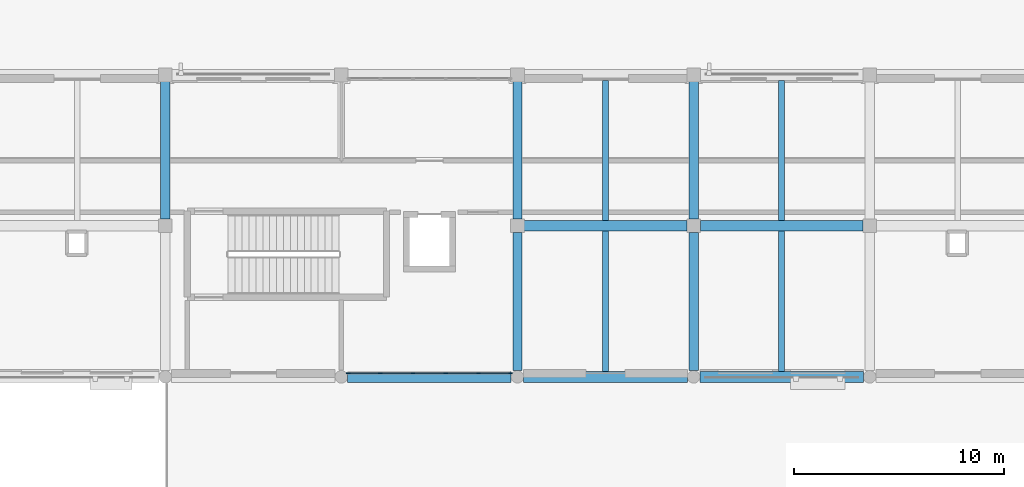
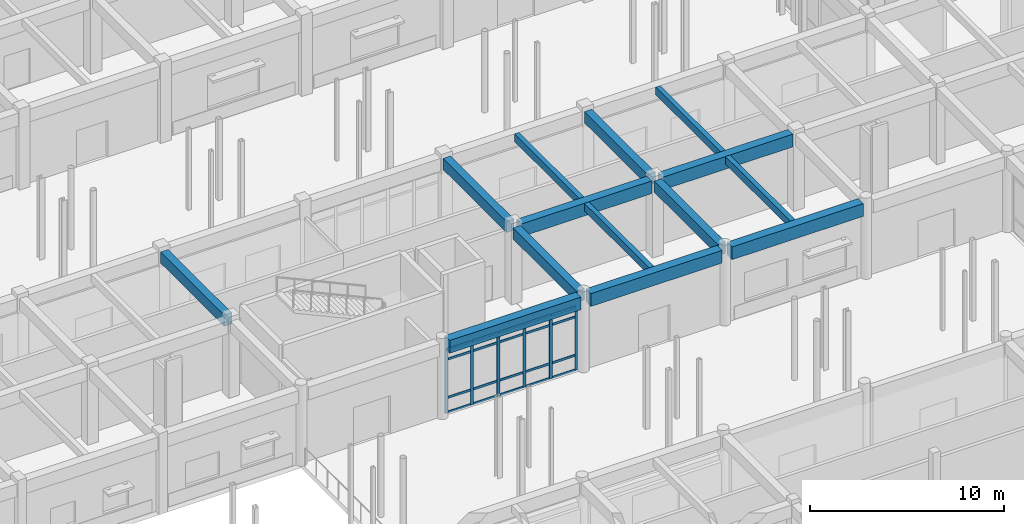
# One storey, part 36 of 121: 26 members, 14 beams, 1 element without a shape of its own.
"""IFC4 building model written with IfcOpenShell, lengths in metres."""

from ifc_helpers import new_model, si_unit, direction, frame, origin, origin_2d, place, context, subcontext, project, spatial, rectangle, extrude, material, material_profile, profile_set, type_object, element, aggregate, save


model = new_model("IFC4")

# Units and contexts
model_context = context("Model", 3, precision=1e-05, world=origin(), true_north=direction((0.0, 1.0)))
body_context = subcontext(model_context, "Body", "Model", "MODEL_VIEW")
ifc_project = project(units=[si_unit("LENGTHUNIT", "METRE"), si_unit("AREAUNIT", "SQUARE_METRE"), si_unit("VOLUMEUNIT", "CUBIC_METRE"), si_unit("PLANEANGLEUNIT", "RADIAN"), si_unit("MASSUNIT", "GRAM", prefix="KILO")], contexts=[model_context])

# Site, building, storey
site_placement = place(None, origin())
site = spatial("IfcSite", under=ifc_project, at=site_placement, CompositionType="ELEMENT")
building_placement = place(site_placement, origin())
building = spatial("IfcBuilding", under=site, at=building_placement, Name="Malvenik Polytechnic", CompositionType="ELEMENT")
storey_placement = place(building_placement, origin())
storey = spatial("IfcBuildingStorey", under=building, at=storey_placement, Name="L00", CompositionType="ELEMENT", Elevation=0.0)

# Curtain wall, members
ifc_material_1 = material(Name="Anodised aluminium 6060-T6", Category="aluminium")
curtain_wall_type = type_object("IfcCurtainWallType", Name="ARC-CW-CW-01", PredefinedType="NOTDEFINED", material=ifc_material_1)
curtain_wall_placement = place(storey_placement, origin())
curtain_wall = element("IfcCurtainWall", 1, at=curtain_wall_placement, inside=storey, type_object=curtain_wall_type, Name="Unitised Curtain Wall CW-01 L00 #4", PredefinedType="NOTDEFINED")
ifc_material_2 = material(Name="Anodised aluminium", Category="aluminium")
ifc_material_profile_1 = material_profile(ifc_material_2, rectangle(XDim=0.06005859375, YDim=0.179931640625, at=origin_2d()), Name="ALU MULLION 60x180")
ifc_profile_set_1 = profile_set([ifc_material_profile_1], Name="Anodised aluminium")
member_type_1 = type_object("IfcMemberType", Name="ARC-CWM-180", PredefinedType="MULLION", material=ifc_profile_set_1)
member_1_placement = place(storey_placement, frame((50.072021484375, 50.570068359375, 0.0), z_axis=(0.0, 0.0, 1.0), x_axis=(0.0, -1.0, 0.0)))
member_1 = element("IfcMember", 2, at=member_1_placement, type_object=member_type_1, Name="CW-01 mullion 1", PredefinedType="MULLION", context=body_context, shape_type="SweptSolid", body=[
    extrude(rectangle(XDim=0.06005859375, YDim=0.179931640625, at=origin_2d()), origin(), (0.0, 0.0, 1.0), 4.010009765625),
])
member_2_placement = place(storey_placement, frame((48.541259765625, 50.570068359375, 0.0), z_axis=(0.0, 0.0, 1.0), x_axis=(0.0, -1.0, 0.0)))
member_2 = element("IfcMember", 3, at=member_2_placement, type_object=member_type_1, Name="CW-01 mullion 2", PredefinedType="MULLION", context=body_context, shape_type="SweptSolid", body=[
    extrude(rectangle(XDim=0.06005859375, YDim=0.179931640625, at=origin_2d()), origin(), (0.0, 0.0, 1.0), 4.010009765625),
])
member_3_placement = place(storey_placement, frame((46.98046875, 50.570068359375, 0.0), z_axis=(0.0, 0.0, 1.0), x_axis=(0.0, -1.0, 0.0)))
member_3 = element("IfcMember", 4, at=member_3_placement, type_object=member_type_1, Name="CW-01 mullion 3", PredefinedType="MULLION", context=body_context, shape_type="SweptSolid", body=[
    extrude(rectangle(XDim=0.06005859375, YDim=0.179931640625, at=origin_2d()), origin(), (0.0, 0.0, 1.0), 4.010009765625),
])
member_4_placement = place(storey_placement, frame((45.419677734375, 50.570068359375, 0.0), z_axis=(0.0, 0.0, 1.0), x_axis=(0.0, -1.0, 0.0)))
member_4 = element("IfcMember", 5, at=member_4_placement, type_object=member_type_1, Name="CW-01 mullion 4", PredefinedType="MULLION", context=body_context, shape_type="SweptSolid", body=[
    extrude(rectangle(XDim=0.06005859375, YDim=0.179931640625, at=origin_2d()), origin(), (0.0, 0.0, 1.0), 4.010009765625),
])
member_5_placement = place(storey_placement, frame((43.85888671875, 50.570068359375, 0.0), z_axis=(0.0, 0.0, 1.0), x_axis=(0.0, -1.0, 0.0)))
member_5 = element("IfcMember", 6, at=member_5_placement, type_object=member_type_1, Name="CW-01 mullion 5", PredefinedType="MULLION", context=body_context, shape_type="SweptSolid", body=[
    extrude(rectangle(XDim=0.06005859375, YDim=0.179931640625, at=origin_2d()), origin(), (0.0, 0.0, 1.0), 4.010009765625),
])
member_6_placement = place(storey_placement, frame((42.327880859375, 50.570068359375, 0.0), z_axis=(0.0, 0.0, 1.0), x_axis=(0.0, -1.0, 0.0)))
member_6 = element("IfcMember", 7, at=member_6_placement, type_object=member_type_1, Name="CW-01 mullion 6", PredefinedType="MULLION", context=body_context, shape_type="SweptSolid", body=[
    extrude(rectangle(XDim=0.06005859375, YDim=0.179931640625, at=origin_2d()), origin(), (0.0, 0.0, 1.0), 4.010009765625),
])
ifc_material_profile_2 = material_profile(ifc_material_2, rectangle(XDim=0.06005859375, YDim=0.139892578125, at=origin_2d()), Name="ALU TRANSOM 60x140")
ifc_profile_set_2 = profile_set([ifc_material_profile_2], Name="Anodised aluminium")
member_type_2 = type_object("IfcMemberType", Name="ARC-CWT-140", PredefinedType="USERDEFINED", material=ifc_profile_set_2)
member_7_placement = place(storey_placement, frame((50.0419921875, 50.570068359375, 0.030029296875), z_axis=(-1.0, 0.0, 0.0), x_axis=(0.0, -1.0, 0.0)))
member_7 = element("IfcMember", 8, at=member_7_placement, type_object=member_type_2, Name="CW-01 transom 1.1", ObjectType="TRANSOM", PredefinedType="USERDEFINED", context=body_context, shape_type="SweptSolid", body=[
    extrude(rectangle(XDim=0.06005859375, YDim=0.139892578125, at=origin_2d()), origin(), (0.0, 0.0, 1.0), 1.470703125),
])
member_8_placement = place(storey_placement, frame((50.0419921875, 50.570068359375, 0.949951171875), z_axis=(-1.0, 0.0, 0.0), x_axis=(0.0, -1.0, 0.0)))
member_8 = element("IfcMember", 9, at=member_8_placement, type_object=member_type_2, Name="CW-01 transom 1.2", ObjectType="TRANSOM", PredefinedType="USERDEFINED", context=body_context, shape_type="SweptSolid", body=[
    extrude(rectangle(XDim=0.06005859375, YDim=0.139892578125, at=origin_2d()), origin(), (0.0, 0.0, 1.0), 1.470703125),
])
member_9_placement = place(storey_placement, frame((50.0419921875, 50.570068359375, 3.360107421875), z_axis=(-1.0, 0.0, 0.0), x_axis=(0.0, -1.0, 0.0)))
member_9 = element("IfcMember", 10, at=member_9_placement, type_object=member_type_2, Name="CW-01 transom 1.3", ObjectType="TRANSOM", PredefinedType="USERDEFINED", context=body_context, shape_type="SweptSolid", body=[
    extrude(rectangle(XDim=0.06005859375, YDim=0.139892578125, at=origin_2d()), origin(), (0.0, 0.0, 1.0), 1.470703125),
])
member_10_placement = place(storey_placement, frame((50.0419921875, 50.570068359375, 3.97998046875), z_axis=(-1.0, 0.0, 0.0), x_axis=(0.0, -1.0, 0.0)))
member_10 = element("IfcMember", 11, at=member_10_placement, type_object=member_type_2, Name="CW-01 transom 1.4", ObjectType="TRANSOM", PredefinedType="USERDEFINED", context=body_context, shape_type="SweptSolid", body=[
    extrude(rectangle(XDim=0.06005859375, YDim=0.139892578125, at=origin_2d()), origin(), (0.0, 0.0, 1.0), 1.470703125),
])
member_11_placement = place(storey_placement, frame((48.51123046875, 50.570068359375, 0.030029296875), z_axis=(-1.0, 0.0, 0.0), x_axis=(0.0, -1.0, 0.0)))
member_11 = element("IfcMember", 12, at=member_11_placement, type_object=member_type_2, Name="CW-01 transom 2.1", ObjectType="TRANSOM", PredefinedType="USERDEFINED", context=body_context, shape_type="SweptSolid", body=[
    extrude(rectangle(XDim=0.06005859375, YDim=0.139892578125, at=origin_2d()), origin(), (0.0, 0.0, 1.0), 1.500732421875),
])
member_12_placement = place(storey_placement, frame((48.51123046875, 50.570068359375, 0.949951171875), z_axis=(-1.0, 0.0, 0.0), x_axis=(0.0, -1.0, 0.0)))
member_12 = element("IfcMember", 13, at=member_12_placement, type_object=member_type_2, Name="CW-01 transom 2.2", ObjectType="TRANSOM", PredefinedType="USERDEFINED", context=body_context, shape_type="SweptSolid", body=[
    extrude(rectangle(XDim=0.06005859375, YDim=0.139892578125, at=origin_2d()), origin(), (0.0, 0.0, 1.0), 1.500732421875),
])
member_13_placement = place(storey_placement, frame((48.51123046875, 50.570068359375, 3.360107421875), z_axis=(-1.0, 0.0, 0.0), x_axis=(0.0, -1.0, 0.0)))
member_13 = element("IfcMember", 14, at=member_13_placement, type_object=member_type_2, Name="CW-01 transom 2.3", ObjectType="TRANSOM", PredefinedType="USERDEFINED", context=body_context, shape_type="SweptSolid", body=[
    extrude(rectangle(XDim=0.06005859375, YDim=0.139892578125, at=origin_2d()), origin(), (0.0, 0.0, 1.0), 1.500732421875),
])
member_14_placement = place(storey_placement, frame((48.51123046875, 50.570068359375, 3.97998046875), z_axis=(-1.0, 0.0, 0.0), x_axis=(0.0, -1.0, 0.0)))
member_14 = element("IfcMember", 15, at=member_14_placement, type_object=member_type_2, Name="CW-01 transom 2.4", ObjectType="TRANSOM", PredefinedType="USERDEFINED", context=body_context, shape_type="SweptSolid", body=[
    extrude(rectangle(XDim=0.06005859375, YDim=0.139892578125, at=origin_2d()), origin(), (0.0, 0.0, 1.0), 1.500732421875),
])
member_15_placement = place(storey_placement, frame((46.950439453125, 50.570068359375, 0.030029296875), z_axis=(-1.0, 0.0, 0.0), x_axis=(0.0, -1.0, 0.0)))
member_15 = element("IfcMember", 16, at=member_15_placement, type_object=member_type_2, Name="CW-01 transom 3.1", ObjectType="TRANSOM", PredefinedType="USERDEFINED", context=body_context, shape_type="SweptSolid", body=[
    extrude(rectangle(XDim=0.06005859375, YDim=0.139892578125, at=origin_2d()), origin(), (0.0, 0.0, 1.0), 1.500732421875),
])
member_16_placement = place(storey_placement, frame((46.950439453125, 50.570068359375, 0.949951171875), z_axis=(-1.0, 0.0, 0.0), x_axis=(0.0, -1.0, 0.0)))
member_16 = element("IfcMember", 17, at=member_16_placement, type_object=member_type_2, Name="CW-01 transom 3.2", ObjectType="TRANSOM", PredefinedType="USERDEFINED", context=body_context, shape_type="SweptSolid", body=[
    extrude(rectangle(XDim=0.06005859375, YDim=0.139892578125, at=origin_2d()), origin(), (0.0, 0.0, 1.0), 1.500732421875),
])
member_17_placement = place(storey_placement, frame((46.950439453125, 50.570068359375, 3.360107421875), z_axis=(-1.0, 0.0, 0.0), x_axis=(0.0, -1.0, 0.0)))
member_17 = element("IfcMember", 18, at=member_17_placement, type_object=member_type_2, Name="CW-01 transom 3.3", ObjectType="TRANSOM", PredefinedType="USERDEFINED", context=body_context, shape_type="SweptSolid", body=[
    extrude(rectangle(XDim=0.06005859375, YDim=0.139892578125, at=origin_2d()), origin(), (0.0, 0.0, 1.0), 1.500732421875),
])
member_18_placement = place(storey_placement, frame((46.950439453125, 50.570068359375, 3.97998046875), z_axis=(-1.0, 0.0, 0.0), x_axis=(0.0, -1.0, 0.0)))
member_18 = element("IfcMember", 19, at=member_18_placement, type_object=member_type_2, Name="CW-01 transom 3.4", ObjectType="TRANSOM", PredefinedType="USERDEFINED", context=body_context, shape_type="SweptSolid", body=[
    extrude(rectangle(XDim=0.06005859375, YDim=0.139892578125, at=origin_2d()), origin(), (0.0, 0.0, 1.0), 1.500732421875),
])
member_19_placement = place(storey_placement, frame((45.3896484375, 50.570068359375, 0.030029296875), z_axis=(-1.0, 0.0, 0.0), x_axis=(0.0, -1.0, 0.0)))
member_19 = element("IfcMember", 20, at=member_19_placement, type_object=member_type_2, Name="CW-01 transom 4.1", ObjectType="TRANSOM", PredefinedType="USERDEFINED", context=body_context, shape_type="SweptSolid", body=[
    extrude(rectangle(XDim=0.06005859375, YDim=0.139892578125, at=origin_2d()), origin(), (0.0, 0.0, 1.0), 1.500732421875),
])
member_20_placement = place(storey_placement, frame((45.3896484375, 50.570068359375, 0.949951171875), z_axis=(-1.0, 0.0, 0.0), x_axis=(0.0, -1.0, 0.0)))
member_20 = element("IfcMember", 21, at=member_20_placement, type_object=member_type_2, Name="CW-01 transom 4.2", ObjectType="TRANSOM", PredefinedType="USERDEFINED", context=body_context, shape_type="SweptSolid", body=[
    extrude(rectangle(XDim=0.06005859375, YDim=0.139892578125, at=origin_2d()), origin(), (0.0, 0.0, 1.0), 1.500732421875),
])
member_21_placement = place(storey_placement, frame((45.3896484375, 50.570068359375, 3.360107421875), z_axis=(-1.0, 0.0, 0.0), x_axis=(0.0, -1.0, 0.0)))
member_21 = element("IfcMember", 22, at=member_21_placement, type_object=member_type_2, Name="CW-01 transom 4.3", ObjectType="TRANSOM", PredefinedType="USERDEFINED", context=body_context, shape_type="SweptSolid", body=[
    extrude(rectangle(XDim=0.06005859375, YDim=0.139892578125, at=origin_2d()), origin(), (0.0, 0.0, 1.0), 1.500732421875),
])
member_22_placement = place(storey_placement, frame((45.3896484375, 50.570068359375, 3.97998046875), z_axis=(-1.0, 0.0, 0.0), x_axis=(0.0, -1.0, 0.0)))
member_22 = element("IfcMember", 23, at=member_22_placement, type_object=member_type_2, Name="CW-01 transom 4.4", ObjectType="TRANSOM", PredefinedType="USERDEFINED", context=body_context, shape_type="SweptSolid", body=[
    extrude(rectangle(XDim=0.06005859375, YDim=0.139892578125, at=origin_2d()), origin(), (0.0, 0.0, 1.0), 1.500732421875),
])
member_23_placement = place(storey_placement, frame((43.828857421875, 50.570068359375, 0.030029296875), z_axis=(-1.0, 0.0, 0.0), x_axis=(0.0, -1.0, 0.0)))
member_23 = element("IfcMember", 24, at=member_23_placement, type_object=member_type_2, Name="CW-01 transom 5.1", ObjectType="TRANSOM", PredefinedType="USERDEFINED", context=body_context, shape_type="SweptSolid", body=[
    extrude(rectangle(XDim=0.06005859375, YDim=0.139892578125, at=origin_2d()), origin(), (0.0, 0.0, 1.0), 1.470947265625),
])
member_24_placement = place(storey_placement, frame((43.828857421875, 50.570068359375, 0.949951171875), z_axis=(-1.0, 0.0, 0.0), x_axis=(0.0, -1.0, 0.0)))
member_24 = element("IfcMember", 25, at=member_24_placement, type_object=member_type_2, Name="CW-01 transom 5.2", ObjectType="TRANSOM", PredefinedType="USERDEFINED", context=body_context, shape_type="SweptSolid", body=[
    extrude(rectangle(XDim=0.06005859375, YDim=0.139892578125, at=origin_2d()), origin(), (0.0, 0.0, 1.0), 1.470947265625),
])
member_25_placement = place(storey_placement, frame((43.828857421875, 50.570068359375, 3.360107421875), z_axis=(-1.0, 0.0, 0.0), x_axis=(0.0, -1.0, 0.0)))
member_25 = element("IfcMember", 26, at=member_25_placement, type_object=member_type_2, Name="CW-01 transom 5.3", ObjectType="TRANSOM", PredefinedType="USERDEFINED", context=body_context, shape_type="SweptSolid", body=[
    extrude(rectangle(XDim=0.06005859375, YDim=0.139892578125, at=origin_2d()), origin(), (0.0, 0.0, 1.0), 1.470947265625),
])
member_26_placement = place(storey_placement, frame((43.828857421875, 50.570068359375, 3.97998046875), z_axis=(-1.0, 0.0, 0.0), x_axis=(0.0, -1.0, 0.0)))
member_26 = element("IfcMember", 27, at=member_26_placement, type_object=member_type_2, Name="CW-01 transom 5.4", ObjectType="TRANSOM", PredefinedType="USERDEFINED", context=body_context, shape_type="SweptSolid", body=[
    extrude(rectangle(XDim=0.06005859375, YDim=0.139892578125, at=origin_2d()), origin(), (0.0, 0.0, 1.0), 1.470947265625),
])
aggregate(curtain_wall, [member_1, member_2, member_3, member_4, member_5, member_6, member_7, member_8, member_9, member_10, member_11, member_12, member_13, member_14, member_15, member_16, member_17, member_18, member_19, member_20, member_21, member_22, member_23, member_24, member_25, member_26])

# Beams
ifc_material_3 = material(Name="Concrete C35/45", Category="concrete")
ifc_material_profile_3 = material_profile(ifc_material_3, rectangle(XDim=0.5, YDim=0.800048828125, at=origin_2d()), Name="RC BM 500x800")
ifc_profile_set_3 = profile_set([ifc_material_profile_3], Name="Concrete C35/45")
beam_type_1 = type_object("IfcBeamType", Name="STR-BM-B-02", PredefinedType="BEAM", material=ifc_profile_set_3)
beam_1_placement = place(storey_placement, frame((50.722900390625, 57.60009765625, 4.419921875), z_axis=(1.0, 0.0, 0.0), x_axis=(0.0, 1.0, 0.0)))
element("IfcBeam", 28, at=beam_1_placement, inside=storey, type_object=beam_type_1, Name="Primary Beam B-02 L00 #588", PredefinedType="BEAM", context=body_context, shape_type="SweptSolid", body=[
    extrude(rectangle(XDim=0.5, YDim=0.800048828125, at=origin_2d()), origin(), (0.0, 0.0, 1.0), 7.754150390625),
])
beam_2_placement = place(storey_placement, frame((59.123046875, 57.60009765625, 4.419921875), z_axis=(1.0, 0.0, 0.0), x_axis=(0.0, 1.0, 0.0)))
element("IfcBeam", 29, at=beam_2_placement, inside=storey, type_object=beam_type_1, Name="Primary Beam B-02 L00 #589", PredefinedType="BEAM", context=body_context, shape_type="SweptSolid", body=[
    extrude(rectangle(XDim=0.5, YDim=0.800048828125, at=origin_2d()), origin(), (0.0, 0.0, 1.0), 7.75390625),
])
ifc_material_profile_4 = material_profile(ifc_material_3, rectangle(XDim=0.449951171875, YDim=0.699951171875, at=origin_2d()), Name="RC BM 450x700")
ifc_profile_set_4 = profile_set([ifc_material_profile_4], Name="Concrete C35/45")
beam_type_2 = type_object("IfcBeamType", Name="STR-BM-B-04", PredefinedType="BEAM", material=ifc_profile_set_4)
beam_3_placement = place(storey_placement, frame((33.60009765625, 57.923095703125, 4.469970703125), z_axis=(0.0, 1.0, 0.0), x_axis=(-1.0, 0.0, 0.0)))
element("IfcBeam", 30, at=beam_3_placement, inside=storey, type_object=beam_type_2, Name="Transverse Beam B-04 L00 #735", PredefinedType="BEAM", context=body_context, shape_type="SweptSolid", body=[
    extrude(rectangle(XDim=0.449951171875, YDim=0.699951171875, at=origin_2d()), origin(), (0.0, 0.0, 1.0), 6.553955078125),
])
beam_4_placement = place(storey_placement, frame((50.39990234375, 50.697998046875, 4.469970703125), z_axis=(0.0, 1.0, 0.0), x_axis=(-1.0, 0.0, 0.0)))
element("IfcBeam", 31, at=beam_4_placement, inside=storey, type_object=beam_type_2, Name="Transverse Beam B-04 L00 #748", PredefinedType="BEAM", context=body_context, shape_type="SweptSolid", body=[
    extrude(rectangle(XDim=0.449951171875, YDim=0.699951171875, at=origin_2d()), origin(), (0.0, 0.0, 1.0), 6.5791015625),
])
beam_5_placement = place(storey_placement, frame((50.39990234375, 57.923095703125, 4.469970703125), z_axis=(0.0, 1.0, 0.0), x_axis=(-1.0, 0.0, 0.0)))
element("IfcBeam", 32, at=beam_5_placement, inside=storey, type_object=beam_type_2, Name="Transverse Beam B-04 L00 #749", PredefinedType="BEAM", context=body_context, shape_type="SweptSolid", body=[
    extrude(rectangle(XDim=0.449951171875, YDim=0.699951171875, at=origin_2d()), origin(), (0.0, 0.0, 1.0), 6.553955078125),
])
beam_6_placement = place(storey_placement, frame((58.800048828125, 50.697998046875, 4.469970703125), z_axis=(0.0, 1.0, 0.0), x_axis=(-1.0, 0.0, 0.0)))
element("IfcBeam", 33, at=beam_6_placement, inside=storey, type_object=beam_type_2, Name="Transverse Beam B-04 L00 #754", PredefinedType="BEAM", context=body_context, shape_type="SweptSolid", body=[
    extrude(rectangle(XDim=0.449951171875, YDim=0.699951171875, at=origin_2d()), origin(), (0.0, 0.0, 1.0), 6.5791015625),
])
beam_7_placement = place(storey_placement, frame((58.800048828125, 57.923095703125, 4.469970703125), z_axis=(0.0, 1.0, 0.0), x_axis=(-1.0, 0.0, 0.0)))
element("IfcBeam", 34, at=beam_7_placement, inside=storey, type_object=beam_type_2, Name="Transverse Beam B-04 L00 #755", PredefinedType="BEAM", context=body_context, shape_type="SweptSolid", body=[
    extrude(rectangle(XDim=0.449951171875, YDim=0.699951171875, at=origin_2d()), origin(), (0.0, 0.0, 1.0), 6.553955078125),
])
ifc_material_4 = material(Name="Concrete C30/37", Category="concrete")
ifc_material_profile_5 = material_profile(ifc_material_4, rectangle(XDim=0.280029296875, YDim=0.47998046875, at=origin_2d()), Name="RC JST 280x480")
ifc_profile_set_5 = profile_set([ifc_material_profile_5], Name="Concrete C30/37")
beam_type_3 = type_object("IfcBeamType", Name="STR-BM-J-01", PredefinedType="JOIST", material=ifc_profile_set_5)
for number, where, z_axis, x_axis, name in (
    (35, (54.60009765625, 50.657958984375, 4.580078125), (0.0, 1.0, 0.0), (-1.0, 0.0, 0.0), "Secondary Rib Joist J-01 L00 #887"),
    (36, (54.60009765625, 57.847900390625, 4.580078125), (0.0, 1.0, 0.0), (-1.0, 0.0, 0.0), "Secondary Rib Joist J-01 L00 #888"),
    (37, (63.0, 50.657958984375, 4.580078125), (0.0, 1.0, 0.0), (-1.0, 0.0, 0.0), "Secondary Rib Joist J-01 L00 #891"),
    (38, (63.0, 57.847900390625, 4.580078125), (0.0, 1.0, 0.0), (-1.0, 0.0, 0.0), "Secondary Rib Joist J-01 L00 #892"),
):
    element("IfcBeam", number, at=place(storey_placement, frame(where, z_axis=z_axis, x_axis=x_axis)), inside=storey, type_object=beam_type_3, Name=name, PredefinedType="JOIST", context=body_context, shape_type="SweptSolid", body=[
        extrude(rectangle(XDim=0.280029296875, YDim=0.47998046875, at=origin_2d()), origin(), (0.0, 0.0, 1.0), 6.694091796875),
    ])
ifc_material_5 = material(Name="Precast concrete C40/50", Category="concrete")
ifc_material_profile_6 = material_profile(ifc_material_5, rectangle(XDim=0.52001953125, YDim=0.800048828125, at=origin_2d()), Name="PC SPN 520x800")
ifc_profile_set_6 = profile_set([ifc_material_profile_6], Name="Precast concrete C40/50")
beam_type_4 = type_object("IfcBeamType", Name="STR-BM-SP-01", PredefinedType="SPANDREL", material=ifc_profile_set_6)
for number, where, z_axis, x_axis, name in (
    (39, (42.298095703125, 50.39990234375, 4.419921875), (1.0, 0.0, 0.0), (0.0, 1.0, 0.0), "Primary Beam SP-01 L00 #574"),
    (40, (50.697998046875, 50.39990234375, 4.419921875), (1.0, 0.0, 0.0), (0.0, 1.0, 0.0), "Primary Beam SP-01 L00 #575"),
):
    element("IfcBeam", number, at=place(storey_placement, frame(where, z_axis=z_axis, x_axis=x_axis)), inside=storey, type_object=beam_type_4, Name=name, PredefinedType="SPANDREL", context=body_context, shape_type="SweptSolid", body=[
        extrude(rectangle(XDim=0.52001953125, YDim=0.800048828125, at=origin_2d()), origin(), (0.0, 0.0, 1.0), 7.803955078125),
    ])
beam_8_placement = place(storey_placement, frame((59.097900390625, 50.39990234375, 4.419921875), z_axis=(1.0, 0.0, 0.0), x_axis=(0.0, 1.0, 0.0)))
element("IfcBeam", 41, at=beam_8_placement, inside=storey, type_object=beam_type_4, Name="Primary Beam SP-01 L00 #576", PredefinedType="SPANDREL", context=body_context, shape_type="SweptSolid", body=[
    extrude(rectangle(XDim=0.52001953125, YDim=0.800048828125, at=origin_2d()), origin(), (0.0, 0.0, 1.0), 7.80419921875),
])

save(model, "model.ifc")
